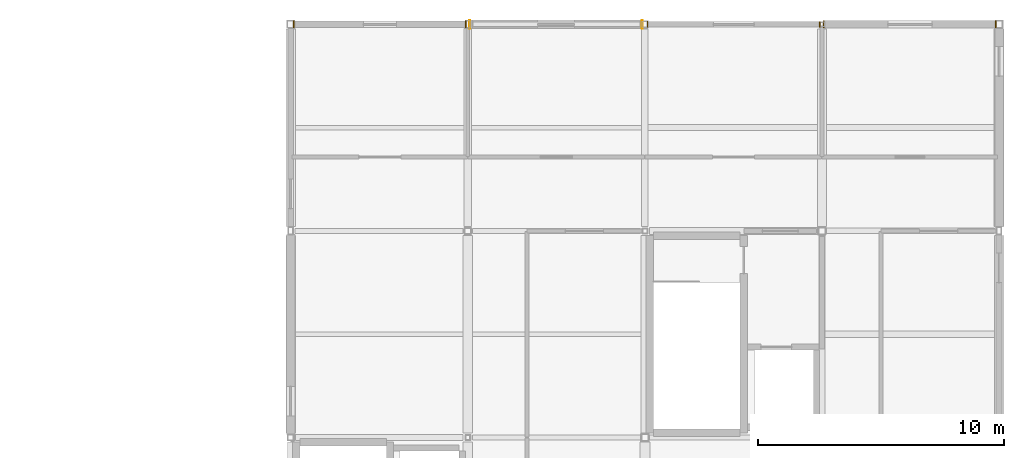
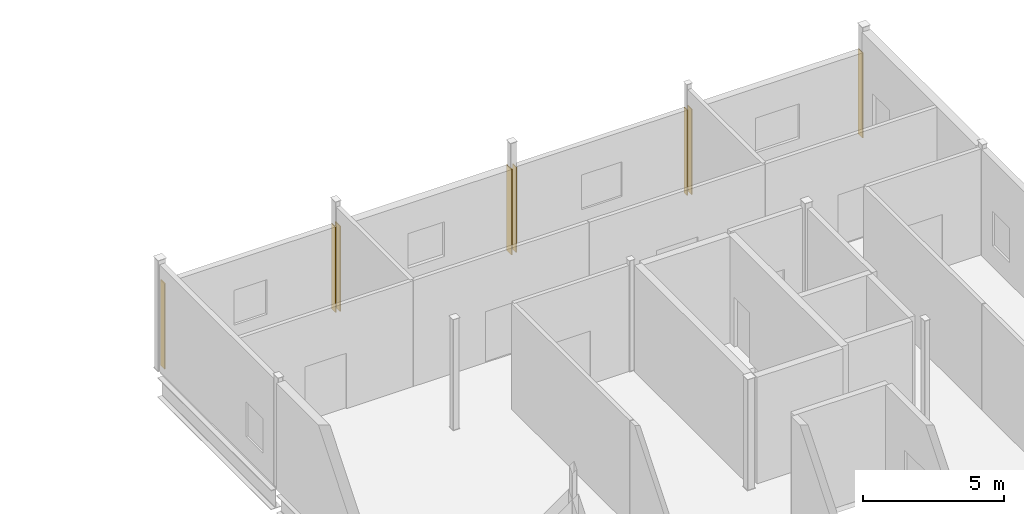
# One storey, part 27 of 27: 8 coverings.
"""IFC4 building model written with IfcOpenShell, lengths in metres."""

from ifc_helpers import new_model, si_unit, direction, frame, origin, place, context, subcontext, project, spatial, polyline, outline, extrude, material, layer, layer_set, type_object, element, save


model = new_model("IFC4")

# Units and contexts
model_context = context("Model", 3, precision=1e-05, world=origin(), true_north=direction((0.0, 1.0)))
body_context = subcontext(model_context, "Body", "Model", "MODEL_VIEW")
ifc_project = project(units=[si_unit("LENGTHUNIT", "METRE"), si_unit("AREAUNIT", "SQUARE_METRE"), si_unit("VOLUMEUNIT", "CUBIC_METRE"), si_unit("PLANEANGLEUNIT", "RADIAN"), si_unit("MASSUNIT", "GRAM", prefix="KILO")], contexts=[model_context])

# Site, building, storey
site_placement = place(None, origin())
site = spatial("IfcSite", under=ifc_project, at=site_placement, CompositionType="ELEMENT")
building_placement = place(site_placement, origin())
building = spatial("IfcBuilding", under=site, at=building_placement, Name="Calvrana Isthmian Art Gallery", CompositionType="ELEMENT")
storey_placement = place(building_placement, frame((0.0, 0.0, 24.60009765625)))
storey = spatial("IfcBuildingStorey", under=building, at=storey_placement, Name="L05", CompositionType="ELEMENT", Elevation=24.60009765625)

# Coverings
ifc_material = material(Name="Polychrome glazed terracotta", Category="masonry")
ifc_layer = layer(ifc_material, 0.0400390625, Name="Polychrome glazed terracotta")
ifc_layer_set = layer_set([ifc_layer], Name="Polychrome glazed terracotta")
covering_type = type_object("IfcCoveringType", Name="COV-CLAD-TERRA", PredefinedType="CLADDING", material=ifc_layer_set)
covering_1_placement = place(storey_placement, origin())
element("IfcCovering", 1, at=covering_1_placement, inside=storey, type_object=covering_type, Name="Column pocket weather closure L05-14-06-W", PredefinedType="CLADDING", context=body_context, shape_type="SweptSolid", body=[
    extrude(outline(polyline([(112.912353515625, 46.652587890625), (112.952392578125, 46.652587890625), (112.952392578125, 46.947509765625), (112.912353515625, 46.947509765625), (112.912353515625, 46.652587890625)])), origin(), (0.0, 0.0, 1.0), 3.69482421875),
])
covering_2_placement = place(storey_placement, origin())
element("IfcCovering", 2, at=covering_2_placement, inside=storey, type_object=covering_type, Name="Column pocket weather closure L05-14-06-E", PredefinedType="CLADDING", context=body_context, shape_type="SweptSolid", body=[
    extrude(outline(polyline([(119.8984375, 46.652587890625), (119.9384765625, 46.652587890625), (119.9384765625, 46.947509765625), (119.8984375, 46.947509765625), (119.8984375, 46.652587890625)])), origin(), (0.0, 0.0, 1.0), 3.69482421875),
])
covering_3_placement = place(storey_placement, origin())
element("IfcCovering", 3, at=covering_3_placement, inside=storey, type_object=covering_type, Name="Column pocket weather closure L05-15-06-W", PredefinedType="CLADDING", context=body_context, shape_type="SweptSolid", body=[
    extrude(outline(polyline([(120.0615234375, 46.625), (120.1015625, 46.625), (120.1015625, 46.97509765625), (120.0615234375, 46.97509765625), (120.0615234375, 46.625)])), origin(), (0.0, 0.0, 1.0), 3.69482421875),
])
covering_4_placement = place(storey_placement, origin())
element("IfcCovering", 4, at=covering_4_placement, inside=storey, type_object=covering_type, Name="Column pocket weather closure L05-15-06-E", PredefinedType="CLADDING", context=body_context, shape_type="SweptSolid", body=[
    extrude(outline(polyline([(127.072998046875, 46.625), (127.113037109375, 46.625), (127.113037109375, 46.97509765625), (127.072998046875, 46.97509765625), (127.072998046875, 46.625)])), origin(), (0.0, 0.0, 1.0), 3.69482421875),
])
covering_5_placement = place(storey_placement, origin())
element("IfcCovering", 5, at=covering_5_placement, inside=storey, type_object=covering_type, Name="Column pocket weather closure L05-16-06-W", PredefinedType="CLADDING", context=body_context, shape_type="SweptSolid", body=[
    extrude(outline(polyline([(127.287109375, 46.677978515625), (127.326904296875, 46.677978515625), (127.326904296875, 46.922119140625), (127.287109375, 46.922119140625), (127.287109375, 46.677978515625)])), origin(), (0.0, 0.0, 1.0), 3.69482421875),
])
covering_6_placement = place(storey_placement, origin())
element("IfcCovering", 6, at=covering_6_placement, inside=storey, type_object=covering_type, Name="Column pocket weather closure L05-16-06-E", PredefinedType="CLADDING", context=body_context, shape_type="SweptSolid", body=[
    extrude(outline(polyline([(134.29833984375, 46.68994140625), (134.33837890625, 46.68994140625), (134.33837890625, 46.909912109375), (134.29833984375, 46.909912109375), (134.29833984375, 46.68994140625)])), origin(), (0.0, 0.0, 1.0), 3.69482421875),
])
covering_7_placement = place(storey_placement, origin())
element("IfcCovering", 7, at=covering_7_placement, inside=storey, type_object=covering_type, Name="Column pocket weather closure L05-17-06-W", PredefinedType="CLADDING", context=body_context, shape_type="SweptSolid", body=[
    extrude(outline(polyline([(134.461669921875, 46.64990234375), (134.501708984375, 46.64990234375), (134.501708984375, 46.949951171875), (134.461669921875, 46.949951171875), (134.461669921875, 46.64990234375)])), origin(), (0.0, 0.0, 1.0), 3.69482421875),
])
covering_8_placement = place(storey_placement, origin())
element("IfcCovering", 8, at=covering_8_placement, inside=storey, type_object=covering_type, Name="Column pocket weather closure L05-17-06-E", PredefinedType="CLADDING", context=body_context, shape_type="SweptSolid", body=[
    extrude(outline(polyline([(141.447509765625, 46.64990234375), (141.487548828125, 46.64990234375), (141.487548828125, 46.949951171875), (141.447509765625, 46.949951171875), (141.447509765625, 46.64990234375)])), origin(), (0.0, 0.0, 1.0), 3.69482421875),
])

save(model, "model.ifc")
